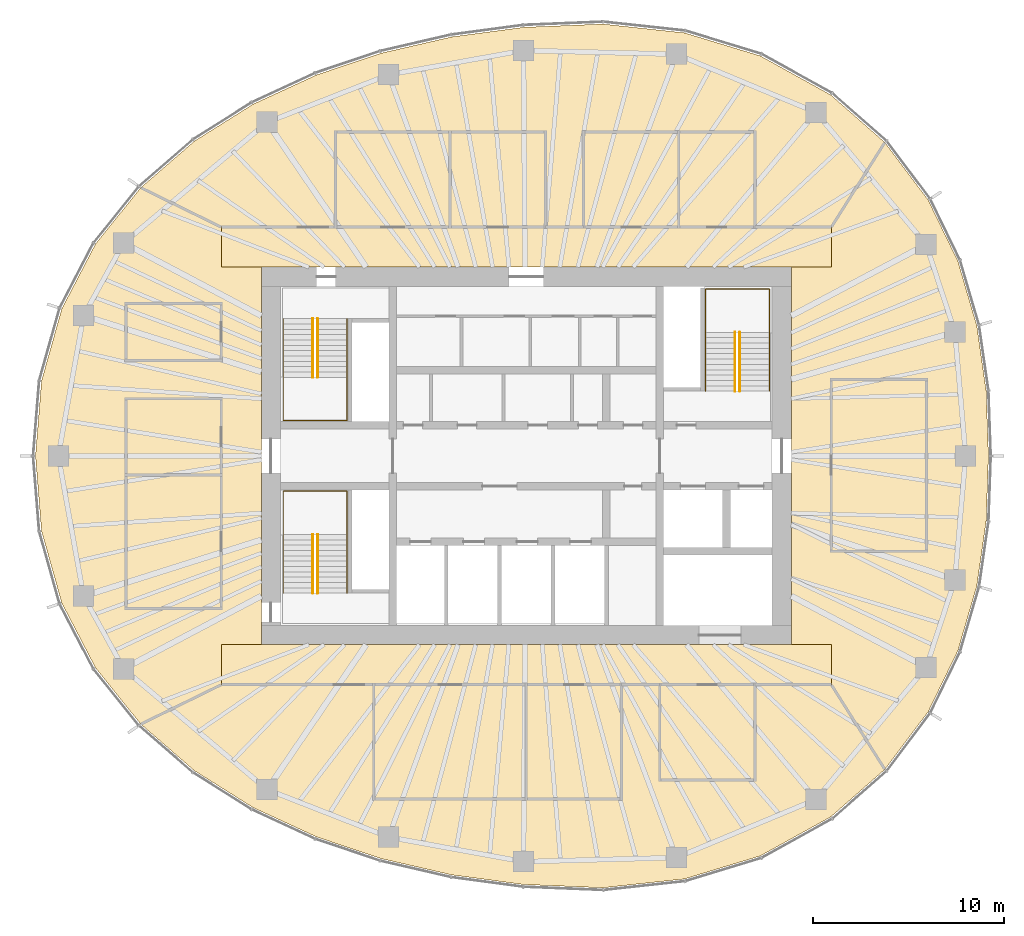
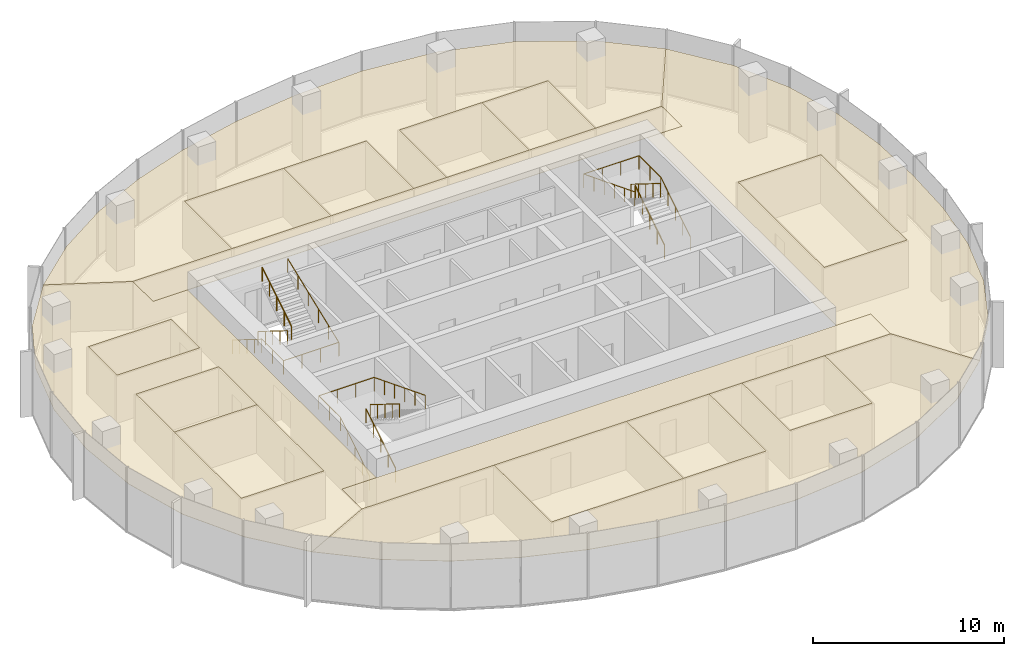
# One storey, part 11 of 11: 17 coverings, 9 railings.
"""IFC4 building model written with IfcOpenShell, lengths in metres."""

from ifc_helpers import new_model, si_unit, direction, frame, origin, origin_2d, place, context, subcontext, project, spatial, polyline, circle, outline, extrude, material, layer, layer_set, type_object, element, save


model = new_model("IFC4")

# Units and contexts
model_context = context("Model", 3, precision=1e-05, world=origin(), true_north=direction((0.0, 1.0)))
body_context = subcontext(model_context, "Body", "Model", "MODEL_VIEW")
ifc_project = project(units=[si_unit("LENGTHUNIT", "METRE"), si_unit("AREAUNIT", "SQUARE_METRE"), si_unit("VOLUMEUNIT", "CUBIC_METRE"), si_unit("PLANEANGLEUNIT", "RADIAN"), si_unit("MASSUNIT", "GRAM", prefix="KILO")], contexts=[model_context])

# Site, building, storey
site_placement = place(None, origin())
site = spatial("IfcSite", under=ifc_project, at=site_placement, CompositionType="ELEMENT")
building_placement = place(site_placement, origin())
building = spatial("IfcBuilding", under=site, at=building_placement, Name="Ghaith Harvest Tower", CompositionType="ELEMENT")
storey_placement = place(building_placement, frame((0.0, 0.0, 279.60009765625)))
storey = spatial("IfcBuildingStorey", under=building, at=storey_placement, Name="L62", CompositionType="ELEMENT", Elevation=279.60009765625)

# Coverings
ifc_material_1 = material(Name="Mineral fibre ceiling tile", Category="gypsum")
ifc_layer = layer(ifc_material_1, 0.02490234375)
ifc_layer_set = layer_set([ifc_layer], Name="CEILING C2")
covering_type = type_object("IfcCoveringType", Name="CEILING C2", PredefinedType="CEILING", material=ifc_layer_set)
covering_1_placement = place(storey_placement, frame((0.0, 0.0, 3.0)))
element("IfcCovering", 1, at=covering_1_placement, inside=storey, type_object=covering_type, Name="Ceiling L62-01", PredefinedType="CEILING", context=body_context, shape_type="SweptSolid", body=[
    extrude(outline(polyline([(-8.0, -18.0), (0.0, -18.0), (0.0, -12.0), (-8.0, -12.0), (-8.0, -18.0)])), origin(), (0.0, 0.0, 1.0), 0.02490234375),
])
covering_2_placement = place(storey_placement, frame((0.0, 0.0, 3.0)))
element("IfcCovering", 2, at=covering_2_placement, inside=storey, type_object=covering_type, Name="Ceiling L62-02", PredefinedType="CEILING", context=body_context, shape_type="SweptSolid", body=[
    extrude(outline(polyline([(0.0, -18.0), (5.0, -18.0), (5.0, -12.0), (0.0, -12.0), (0.0, -18.0)])), origin(), (0.0, 0.0, 1.0), 0.02490234375),
])
covering_3_placement = place(storey_placement, frame((0.0, 0.0, 3.0)))
element("IfcCovering", 3, at=covering_3_placement, inside=storey, type_object=covering_type, Name="Ceiling L62-03", PredefinedType="CEILING", context=body_context, shape_type="SweptSolid", body=[
    extrude(outline(polyline([(7.0, -17.0), (12.0, -17.0), (12.0, -12.0), (7.0, -12.0), (7.0, -17.0)])), origin(), (0.0, 0.0, 1.0), 0.02490234375),
])
covering_4_placement = place(storey_placement, frame((0.0, 0.0, 3.0)))
element("IfcCovering", 4, at=covering_4_placement, inside=storey, type_object=covering_type, Name="Ceiling L62-04", PredefinedType="CEILING", context=body_context, shape_type="SweptSolid", body=[
    extrude(outline(polyline([(-21.0, -8.0), (-16.0, -8.0), (-16.0, -1.0), (-21.0, -1.0), (-21.0, -8.0)])), origin(), (0.0, 0.0, 1.0), 0.02490234375),
])
covering_5_placement = place(storey_placement, frame((0.0, 0.0, 3.0)))
element("IfcCovering", 5, at=covering_5_placement, inside=storey, type_object=covering_type, Name="Ceiling L62-05", PredefinedType="CEILING", context=body_context, shape_type="SweptSolid", body=[
    extrude(outline(polyline([(-21.0, -1.0), (-16.0, -1.0), (-16.0, 3.0), (-21.0, 3.0), (-21.0, -1.0)])), origin(), (0.0, 0.0, 1.0), 0.02490234375),
])
covering_6_placement = place(storey_placement, frame((0.0, 0.0, 3.0)))
element("IfcCovering", 6, at=covering_6_placement, inside=storey, type_object=covering_type, Name="Ceiling L62-06", PredefinedType="CEILING", context=body_context, shape_type="SweptSolid", body=[
    extrude(outline(polyline([(-10.0, 12.0), (-4.0, 12.0), (-4.0, 17.0), (-10.0, 17.0), (-10.0, 12.0)])), origin(), (0.0, 0.0, 1.0), 0.02490234375),
])
covering_7_placement = place(storey_placement, frame((0.0, 0.0, 3.0)))
element("IfcCovering", 7, at=covering_7_placement, inside=storey, type_object=covering_type, Name="Ceiling L62-07", PredefinedType="CEILING", context=body_context, shape_type="SweptSolid", body=[
    extrude(outline(polyline([(-4.0, 12.0), (1.0, 12.0), (1.0, 17.0), (-4.0, 17.0), (-4.0, 12.0)])), origin(), (0.0, 0.0, 1.0), 0.02490234375),
])
covering_8_placement = place(storey_placement, frame((0.0, 0.0, 3.0)))
element("IfcCovering", 8, at=covering_8_placement, inside=storey, type_object=covering_type, Name="Ceiling L62-08", PredefinedType="CEILING", context=body_context, shape_type="SweptSolid", body=[
    extrude(outline(polyline([(3.0, 12.0), (8.0, 12.0), (8.0, 17.0), (3.0, 17.0), (3.0, 12.0)])), origin(), (0.0, 0.0, 1.0), 0.02490234375),
])
covering_9_placement = place(storey_placement, frame((0.0, 0.0, 3.0)))
element("IfcCovering", 9, at=covering_9_placement, inside=storey, type_object=covering_type, Name="Ceiling L62-09", PredefinedType="CEILING", context=body_context, shape_type="SweptSolid", body=[
    extrude(outline(polyline([(8.0, 12.0), (12.0, 12.0), (12.0, 17.0), (8.0, 17.0), (8.0, 12.0)])), origin(), (0.0, 0.0, 1.0), 0.02490234375),
])
covering_10_placement = place(storey_placement, frame((0.0, 0.0, 3.0)))
element("IfcCovering", 10, at=covering_10_placement, inside=storey, type_object=covering_type, Name="Ceiling L62-10", PredefinedType="CEILING", context=body_context, shape_type="SweptSolid", body=[
    extrude(outline(polyline([(16.0, -5.0), (21.0, -5.0), (21.0, 4.0), (16.0, 4.0), (16.0, -5.0)])), origin(), (0.0, 0.0, 1.0), 0.02490234375),
])
covering_11_placement = place(storey_placement, frame((0.0, 0.0, 3.0)))
element("IfcCovering", 11, at=covering_11_placement, inside=storey, type_object=covering_type, Name="Ceiling L62-11", PredefinedType="CEILING", context=body_context, shape_type="SweptSolid", body=[
    extrude(outline(polyline([(-21.0, 5.0), (-16.0, 5.0), (-16.0, 8.0), (-21.0, 8.0), (-21.0, 5.0)])), origin(), (0.0, 0.0, 1.0), 0.02490234375),
])
covering_12_placement = place(storey_placement, frame((0.0, 0.0, 3.0)))
element("IfcCovering", 12, at=covering_12_placement, inside=storey, type_object=covering_type, Name="Ceiling L62-C1", PredefinedType="CEILING", context=body_context, shape_type="SweptSolid", body=[
    extrude(outline(polyline([(16.0, 9.89990234375), (-16.0, 9.89990234375), (-16.0, 12.0), (16.0, 12.0), (16.0, 9.89990234375)])), origin(), (0.0, 0.0, 1.0), 0.02490234375),
])
covering_13_placement = place(storey_placement, frame((0.0, 0.0, 3.0)))
element("IfcCovering", 13, at=covering_13_placement, inside=storey, type_object=covering_type, Name="Ceiling L62-C2", PredefinedType="CEILING", context=body_context, shape_type="SweptSolid", body=[
    extrude(outline(polyline([(-16.0, -9.89990234375), (16.0, -9.89990234375), (16.0, -12.0), (-16.0, -12.0), (-16.0, -9.89990234375)])), origin(), (0.0, 0.0, 1.0), 0.02490234375),
])
covering_14_placement = place(storey_placement, frame((0.0, 0.0, 3.0)))
element("IfcCovering", 14, at=covering_14_placement, inside=storey, type_object=covering_type, Name="Ceiling L62-N1", PredefinedType="CEILING", context=body_context, shape_type="SweptSolid", body=[
    extrude(outline(polyline([(-17.40771484375, 16.518310546875), (-14.331298828125, 18.452880859375), (-11.009521484375, 19.98779296875), (-7.6298828125, 21.12548828125), (-3.92529296875, 21.98046875), (-0.15380859375, 22.486083984375), (4.016845703125, 22.658447265625), (8.2978515625, 22.1962890625), (12.273681640625, 20.98828125), (15.971923828125, 18.940185546875), (18.810791015625, 16.4482421875), (16.0, 12.0), (12.0, 12.0), (12.0, 17.0), (3.0, 17.0), (3.0, 12.0), (1.0, 12.0), (1.0, 17.0), (-10.0, 17.0), (-10.0, 12.0), (-16.0, 12.0), (-20.225830078125, 14.0732421875), (-17.40771484375, 16.518310546875)])), origin(), (0.0, 0.0, 1.0), 0.02490234375),
])
covering_15_placement = place(storey_placement, frame((0.0, 0.0, 3.0)))
element("IfcCovering", 15, at=covering_15_placement, inside=storey, type_object=covering_type, Name="Ceiling L62-E1", PredefinedType="CEILING", context=body_context, shape_type="SweptSolid", body=[
    extrude(outline(polyline([(21.087890625, 13.42041015625), (22.644775390625, 10.222900390625), (23.6376953125, 6.831787109375), (24.129150390625, 3.4169921875), (24.25, 0.0), (24.129150390625, -3.4169921875), (23.6376953125, -6.831787109375), (22.644775390625, -10.222900390625), (21.087890625, -13.42041015625), (18.810791015625, -16.4482421875), (16.0, -12.0), (16.0, -9.89990234375), (13.89990234375, -9.89990234375), (13.89990234375, 9.89990234375), (16.0, 9.89990234375), (16.0, 12.0), (18.810791015625, 16.4482421875), (21.087890625, 13.42041015625)]), holes=[polyline([(16.0, -5.0), (21.0, -5.0), (21.0, 4.0), (16.0, 4.0), (16.0, -5.0)])]), origin(), (0.0, 0.0, 1.0), 0.02490234375),
])
covering_16_placement = place(storey_placement, frame((0.0, 0.0, 3.0)))
element("IfcCovering", 16, at=covering_16_placement, inside=storey, type_object=covering_type, Name="Ceiling L62-S1", PredefinedType="CEILING", context=body_context, shape_type="SweptSolid", body=[
    extrude(outline(polyline([(-14.331298828125, -18.452880859375), (-17.40771484375, -16.518310546875), (-20.225830078125, -14.0732421875), (-16.0, -12.0), (-8.0, -12.0), (-8.0, -18.0), (5.0, -18.0), (5.0, -12.0), (7.0, -12.0), (7.0, -17.0), (12.0, -17.0), (12.0, -12.0), (16.0, -12.0), (18.810791015625, -16.4482421875), (15.971923828125, -18.940185546875), (12.273681640625, -20.98828125), (8.2978515625, -22.1962890625), (4.016845703125, -22.658447265625), (-0.15380859375, -22.486083984375), (-3.92529296875, -21.98046875), (-7.6298828125, -21.12548828125), (-11.009521484375, -19.98779296875), (-14.331298828125, -18.452880859375)])), origin(), (0.0, 0.0, 1.0), 0.02490234375),
])
covering_17_placement = place(storey_placement, frame((0.0, 0.0, 3.0)))
element("IfcCovering", 17, at=covering_17_placement, inside=storey, type_object=covering_type, Name="Ceiling L62-W1", PredefinedType="CEILING", context=body_context, shape_type="SweptSolid", body=[
    extrude(outline(polyline([(-22.5986328125, -11.12353515625), (-24.368408203125, -7.722900390625), (-25.43310546875, -3.93359375), (-25.75, 0.0), (-25.43310546875, 3.93359375), (-24.368408203125, 7.722900390625), (-22.5986328125, 11.12353515625), (-20.225830078125, 14.0732421875), (-16.0, 12.0), (-16.0, 9.89990234375), (-13.89990234375, 9.89990234375), (-13.89990234375, -9.89990234375), (-16.0, -9.89990234375), (-16.0, -12.0), (-20.225830078125, -14.0732421875), (-22.5986328125, -11.12353515625)]), holes=[polyline([(-21.0, 3.0), (-21.0, -8.0), (-16.0, -8.0), (-16.0, 3.0), (-21.0, 3.0)]), polyline([(-21.0, 8.0), (-21.0, 5.0), (-16.0, 5.0), (-16.0, 8.0), (-21.0, 8.0)])]), origin(), (0.0, 0.0, 1.0), 0.02490234375),
])

# Railings
ifc_material_2 = material(Name="Steel, black powder-coated", Category="steel")
railing_type = type_object("IfcRailingType", Name="HANDRAIL HR1", PredefinedType="HANDRAIL", material=ifc_material_2)
railing_1_placement = place(storey_placement, frame((-11.199951171875, 7.199951171875, 0.1748046875)))
element("IfcRailing", 18, at=railing_1_placement, inside=storey, type_object=railing_type, Name="Handrail HR1 stair ST1 L62 flight 1 inner", PredefinedType="HANDRAIL", context=body_context, shape_type="SweptSolid", body=[
    extrude(circle(Radius=0.02392578125, at=origin_2d()), frame((0.0, 0.0, 0.8759765625), z_axis=(0.0, -0.847979421464, 0.530029150871), x_axis=(1.0, 0.0, 0.0)), (0.0, 0.0, 1.0), 3.632080078125),
    extrude(circle(Radius=0.02099609375, at=origin_2d()), origin(), (0.0, 0.0, 1.0), 0.851806640625),
    extrude(circle(Radius=0.02099609375, at=origin_2d()), frame((0.0, -0.77001953125, 0.481201171875)), (0.0, 0.0, 1.0), 0.851806640625),
    extrude(circle(Radius=0.02099609375, at=origin_2d()), frame((0.0, -1.5400390625, 0.96240234375)), (0.0, 0.0, 1.0), 0.851806640625),
    extrude(circle(Radius=0.02099609375, at=origin_2d()), frame((0.0, -2.309814453125, 1.44384765625)), (0.0, 0.0, 1.0), 0.851806640625),
    extrude(circle(Radius=0.02099609375, at=origin_2d()), frame((0.0, -3.079833984375, 1.925048828125)), (0.0, 0.0, 1.0), 0.851806640625),
])
railing_2_placement = place(storey_placement, frame((-10.949951171875, 4.1201171875, 2.27490234375)))
element("IfcRailing", 19, at=railing_2_placement, inside=storey, type_object=railing_type, Name="Handrail HR1 stair ST1 L62 flight 2 inner", PredefinedType="HANDRAIL", context=body_context, shape_type="SweptSolid", body=[
    extrude(circle(Radius=0.02392578125, at=origin_2d()), frame((0.0, 0.0, 0.8759765625), z_axis=(0.0, 0.847979421464, 0.530029150871), x_axis=(-1.0, 0.0, 0.0)), (0.0, 0.0, 1.0), 3.632080078125),
    extrude(circle(Radius=0.02099609375, at=origin_2d()), origin(), (0.0, 0.0, 1.0), 0.851806640625),
    extrude(circle(Radius=0.02099609375, at=origin_2d()), frame((0.0, 0.77001953125, 0.481201171875)), (0.0, 0.0, 1.0), 0.851806640625),
    extrude(circle(Radius=0.02099609375, at=origin_2d()), frame((0.0, 1.5400390625, 0.96240234375)), (0.0, 0.0, 1.0), 0.851806640625),
    extrude(circle(Radius=0.02099609375, at=origin_2d()), frame((0.0, 2.309814453125, 1.44384765625)), (0.0, 0.0, 1.0), 0.851806640625),
    extrude(circle(Radius=0.02099609375, at=origin_2d()), frame((0.0, 3.079833984375, 1.925048828125)), (0.0, 0.0, 1.0), 0.851806640625),
])
railing_3_placement = place(storey_placement, frame((-12.75, 7.199951171875, 0.1748046875)))
element("IfcRailing", 20, at=railing_3_placement, inside=storey, type_object=railing_type, Name="Handrail HR1 stair ST1 L62 wall side", PredefinedType="HANDRAIL", context=body_context, shape_type="SweptSolid", body=[
    extrude(circle(Radius=0.02392578125, at=origin_2d()), frame((0.0, 0.0, 0.8759765625), z_axis=(0.0, -0.847979421464, 0.530029150871), x_axis=(1.0, 0.0, 0.0)), (0.0, 0.0, 1.0), 3.632080078125),
    extrude(circle(Radius=0.02392578125, at=origin_2d()), frame((0.0, -3.079833984375, 2.80078125), z_axis=(0.0, -1.0, 0.0), x_axis=(1.0, 0.0, 0.0)), (0.0, 0.0, 1.0), 2.27001953125),
    extrude(circle(Radius=0.02392578125, at=origin_2d()), frame((0.0, -5.349853515625, 2.80078125), z_axis=(1.0, 0.0, 0.0), x_axis=(0.0, 1.0, 0.0)), (0.0, 0.0, 1.0), 3.35009765625),
    extrude(circle(Radius=0.02392578125, at=origin_2d()), frame((3.35009765625, -5.349853515625, 2.80078125), z_axis=(0.0, 0.930848013298, 0.36540659017), x_axis=(-1.0, 0.0, 0.0)), (0.0, 0.0, 1.0), 5.747314453125),
    extrude(circle(Radius=0.02099609375, at=origin_2d()), origin(), (0.0, 0.0, 1.0), 0.851806640625),
    extrude(circle(Radius=0.02099609375, at=origin_2d()), frame((0.0, -0.77001953125, 0.481201171875)), (0.0, 0.0, 1.0), 0.851806640625),
    extrude(circle(Radius=0.02099609375, at=origin_2d()), frame((0.0, -1.5400390625, 0.96240234375)), (0.0, 0.0, 1.0), 0.851806640625),
    extrude(circle(Radius=0.02099609375, at=origin_2d()), frame((0.0, -2.309814453125, 1.44384765625)), (0.0, 0.0, 1.0), 0.851806640625),
    extrude(circle(Radius=0.02099609375, at=origin_2d()), frame((0.0, -3.079833984375, 1.925048828125)), (0.0, 0.0, 1.0), 0.851806640625),
    extrude(circle(Radius=0.02099609375, at=origin_2d()), frame((0.0, -4.21484375, 1.925048828125)), (0.0, 0.0, 1.0), 0.851806640625),
    extrude(circle(Radius=0.02099609375, at=origin_2d()), frame((0.0, -5.349853515625, 1.925048828125)), (0.0, 0.0, 1.0), 0.851806640625),
    extrude(circle(Radius=0.02099609375, at=origin_2d()), frame((1.11669921875, -5.349853515625, 1.925048828125)), (0.0, 0.0, 1.0), 0.851806640625),
    extrude(circle(Radius=0.02099609375, at=origin_2d()), frame((2.2333984375, -5.349853515625, 1.925048828125)), (0.0, 0.0, 1.0), 0.851806640625),
    extrude(circle(Radius=0.02099609375, at=origin_2d()), frame((3.35009765625, -5.349853515625, 1.925048828125)), (0.0, 0.0, 1.0), 0.851806640625),
    extrude(circle(Radius=0.02099609375, at=origin_2d()), frame((3.35009765625, -4.27978515625, 2.344970703125)), (0.0, 0.0, 1.0), 0.851806640625),
    extrude(circle(Radius=0.02099609375, at=origin_2d()), frame((3.35009765625, -3.2099609375, 2.76513671875)), (0.0, 0.0, 1.0), 0.851806640625),
    extrude(circle(Radius=0.02099609375, at=origin_2d()), frame((3.35009765625, -2.139892578125, 3.18505859375)), (0.0, 0.0, 1.0), 0.851806640625),
    extrude(circle(Radius=0.02099609375, at=origin_2d()), frame((3.35009765625, -1.070068359375, 3.605224609375)), (0.0, 0.0, 1.0), 0.851806640625),
    extrude(circle(Radius=0.02099609375, at=origin_2d()), frame((3.35009765625, 0.0, 4.025146484375)), (0.0, 0.0, 1.0), 0.851806640625),
])
railing_4_placement = place(storey_placement, frame((-11.199951171875, -7.199951171875, 0.1748046875)))
element("IfcRailing", 21, at=railing_4_placement, inside=storey, type_object=railing_type, Name="Handrail HR1 stair ST3 L62 flight 1 inner", PredefinedType="HANDRAIL", context=body_context, shape_type="SweptSolid", body=[
    extrude(circle(Radius=0.02392578125, at=origin_2d()), frame((0.0, 0.0, 0.8759765625), z_axis=(0.0, 0.847979421464, 0.530029150871), x_axis=(-1.0, 0.0, 0.0)), (0.0, 0.0, 1.0), 3.632080078125),
    extrude(circle(Radius=0.02099609375, at=origin_2d()), origin(), (0.0, 0.0, 1.0), 0.851806640625),
    extrude(circle(Radius=0.02099609375, at=origin_2d()), frame((0.0, 0.77001953125, 0.481201171875)), (0.0, 0.0, 1.0), 0.851806640625),
    extrude(circle(Radius=0.02099609375, at=origin_2d()), frame((0.0, 1.5400390625, 0.96240234375)), (0.0, 0.0, 1.0), 0.851806640625),
    extrude(circle(Radius=0.02099609375, at=origin_2d()), frame((0.0, 2.309814453125, 1.44384765625)), (0.0, 0.0, 1.0), 0.851806640625),
    extrude(circle(Radius=0.02099609375, at=origin_2d()), frame((0.0, 3.079833984375, 1.925048828125)), (0.0, 0.0, 1.0), 0.851806640625),
])
railing_5_placement = place(storey_placement, frame((-10.949951171875, -4.1201171875, 2.27490234375)))
element("IfcRailing", 22, at=railing_5_placement, inside=storey, type_object=railing_type, Name="Handrail HR1 stair ST3 L62 flight 2 inner", PredefinedType="HANDRAIL", context=body_context, shape_type="SweptSolid", body=[
    extrude(circle(Radius=0.02392578125, at=origin_2d()), frame((0.0, 0.0, 0.8759765625), z_axis=(0.0, -0.847979421464, 0.530029150871), x_axis=(1.0, 0.0, 0.0)), (0.0, 0.0, 1.0), 3.632080078125),
    extrude(circle(Radius=0.02099609375, at=origin_2d()), origin(), (0.0, 0.0, 1.0), 0.851806640625),
    extrude(circle(Radius=0.02099609375, at=origin_2d()), frame((0.0, -0.77001953125, 0.481201171875)), (0.0, 0.0, 1.0), 0.851806640625),
    extrude(circle(Radius=0.02099609375, at=origin_2d()), frame((0.0, -1.5400390625, 0.96240234375)), (0.0, 0.0, 1.0), 0.851806640625),
    extrude(circle(Radius=0.02099609375, at=origin_2d()), frame((0.0, -2.309814453125, 1.44384765625)), (0.0, 0.0, 1.0), 0.851806640625),
    extrude(circle(Radius=0.02099609375, at=origin_2d()), frame((0.0, -3.079833984375, 1.925048828125)), (0.0, 0.0, 1.0), 0.851806640625),
])
railing_6_placement = place(storey_placement, frame((-12.75, -7.199951171875, 0.1748046875)))
element("IfcRailing", 23, at=railing_6_placement, inside=storey, type_object=railing_type, Name="Handrail HR1 stair ST3 L62 wall side", PredefinedType="HANDRAIL", context=body_context, shape_type="SweptSolid", body=[
    extrude(circle(Radius=0.02392578125, at=origin_2d()), frame((0.0, 0.0, 0.8759765625), z_axis=(0.0, 0.847979421464, 0.530029150871), x_axis=(-1.0, 0.0, 0.0)), (0.0, 0.0, 1.0), 3.632080078125),
    extrude(circle(Radius=0.02392578125, at=origin_2d()), frame((0.0, 3.079833984375, 2.80078125), z_axis=(0.0, 1.0, 0.0), x_axis=(-1.0, 0.0, 0.0)), (0.0, 0.0, 1.0), 2.27001953125),
    extrude(circle(Radius=0.02392578125, at=origin_2d()), frame((0.0, 5.349853515625, 2.80078125), z_axis=(1.0, 0.0, 0.0), x_axis=(0.0, 1.0, 0.0)), (0.0, 0.0, 1.0), 3.35009765625),
    extrude(circle(Radius=0.02392578125, at=origin_2d()), frame((3.35009765625, 5.349853515625, 2.80078125), z_axis=(0.0, -0.930848013298, 0.36540659017), x_axis=(1.0, 0.0, 0.0)), (0.0, 0.0, 1.0), 5.747314453125),
    extrude(circle(Radius=0.02099609375, at=origin_2d()), origin(), (0.0, 0.0, 1.0), 0.851806640625),
    extrude(circle(Radius=0.02099609375, at=origin_2d()), frame((0.0, 0.77001953125, 0.481201171875)), (0.0, 0.0, 1.0), 0.851806640625),
    extrude(circle(Radius=0.02099609375, at=origin_2d()), frame((0.0, 1.5400390625, 0.96240234375)), (0.0, 0.0, 1.0), 0.851806640625),
    extrude(circle(Radius=0.02099609375, at=origin_2d()), frame((0.0, 2.309814453125, 1.44384765625)), (0.0, 0.0, 1.0), 0.851806640625),
    extrude(circle(Radius=0.02099609375, at=origin_2d()), frame((0.0, 3.079833984375, 1.925048828125)), (0.0, 0.0, 1.0), 0.851806640625),
    extrude(circle(Radius=0.02099609375, at=origin_2d()), frame((0.0, 4.21484375, 1.925048828125)), (0.0, 0.0, 1.0), 0.851806640625),
    extrude(circle(Radius=0.02099609375, at=origin_2d()), frame((0.0, 5.349853515625, 1.925048828125)), (0.0, 0.0, 1.0), 0.851806640625),
    extrude(circle(Radius=0.02099609375, at=origin_2d()), frame((1.11669921875, 5.349853515625, 1.925048828125)), (0.0, 0.0, 1.0), 0.851806640625),
    extrude(circle(Radius=0.02099609375, at=origin_2d()), frame((2.2333984375, 5.349853515625, 1.925048828125)), (0.0, 0.0, 1.0), 0.851806640625),
    extrude(circle(Radius=0.02099609375, at=origin_2d()), frame((3.35009765625, 5.349853515625, 1.925048828125)), (0.0, 0.0, 1.0), 0.851806640625),
    extrude(circle(Radius=0.02099609375, at=origin_2d()), frame((3.35009765625, 4.27978515625, 2.344970703125)), (0.0, 0.0, 1.0), 0.851806640625),
    extrude(circle(Radius=0.02099609375, at=origin_2d()), frame((3.35009765625, 3.2099609375, 2.76513671875)), (0.0, 0.0, 1.0), 0.851806640625),
    extrude(circle(Radius=0.02099609375, at=origin_2d()), frame((3.35009765625, 2.139892578125, 3.18505859375)), (0.0, 0.0, 1.0), 0.851806640625),
    extrude(circle(Radius=0.02099609375, at=origin_2d()), frame((3.35009765625, 1.070068359375, 3.605224609375)), (0.0, 0.0, 1.0), 0.851806640625),
    extrude(circle(Radius=0.02099609375, at=origin_2d()), frame((3.35009765625, 0.0, 4.025146484375)), (0.0, 0.0, 1.0), 0.851806640625),
])
railing_7_placement = place(storey_placement, frame((11.199951171875, 3.39990234375, 0.1748046875)))
element("IfcRailing", 24, at=railing_7_placement, inside=storey, type_object=railing_type, Name="Handrail HR1 stair ST2 L62 flight 1 inner", PredefinedType="HANDRAIL", context=body_context, shape_type="SweptSolid", body=[
    extrude(circle(Radius=0.02392578125, at=origin_2d()), frame((0.0, 0.0, 0.8759765625), z_axis=(0.0, 0.847998304005, 0.529998940003), x_axis=(-1.0, 0.0, 0.0)), (0.0, 0.0, 1.0), 3.632080078125),
    extrude(circle(Radius=0.02099609375, at=origin_2d()), origin(), (0.0, 0.0, 1.0), 0.851806640625),
    extrude(circle(Radius=0.02099609375, at=origin_2d()), frame((0.0, 0.77001953125, 0.481201171875)), (0.0, 0.0, 1.0), 0.851806640625),
    extrude(circle(Radius=0.02099609375, at=origin_2d()), frame((0.0, 1.5400390625, 0.96240234375)), (0.0, 0.0, 1.0), 0.851806640625),
    extrude(circle(Radius=0.02099609375, at=origin_2d()), frame((0.0, 2.31005859375, 1.44384765625)), (0.0, 0.0, 1.0), 0.851806640625),
    extrude(circle(Radius=0.02099609375, at=origin_2d()), frame((0.0, 3.080078125, 1.925048828125)), (0.0, 0.0, 1.0), 0.851806640625),
])
railing_8_placement = place(storey_placement, frame((10.949951171875, 6.47998046875, 2.27490234375)))
element("IfcRailing", 25, at=railing_8_placement, inside=storey, type_object=railing_type, Name="Handrail HR1 stair ST2 L62 flight 2 inner", PredefinedType="HANDRAIL", context=body_context, shape_type="SweptSolid", body=[
    extrude(circle(Radius=0.02392578125, at=origin_2d()), frame((0.0, 0.0, 0.8759765625), z_axis=(0.0, -0.847998304005, 0.529998940003), x_axis=(1.0, 0.0, 0.0)), (0.0, 0.0, 1.0), 3.632080078125),
    extrude(circle(Radius=0.02099609375, at=origin_2d()), origin(), (0.0, 0.0, 1.0), 0.851806640625),
    extrude(circle(Radius=0.02099609375, at=origin_2d()), frame((0.0, -0.77001953125, 0.481201171875)), (0.0, 0.0, 1.0), 0.851806640625),
    extrude(circle(Radius=0.02099609375, at=origin_2d()), frame((0.0, -1.5400390625, 0.96240234375)), (0.0, 0.0, 1.0), 0.851806640625),
    extrude(circle(Radius=0.02099609375, at=origin_2d()), frame((0.0, -2.31005859375, 1.44384765625)), (0.0, 0.0, 1.0), 0.851806640625),
    extrude(circle(Radius=0.02099609375, at=origin_2d()), frame((0.0, -3.080078125, 1.925048828125)), (0.0, 0.0, 1.0), 0.851806640625),
])
railing_9_placement = place(storey_placement, frame((12.75, 3.39990234375, 0.1748046875)))
element("IfcRailing", 26, at=railing_9_placement, inside=storey, type_object=railing_type, Name="Handrail HR1 stair ST2 L62 wall side", PredefinedType="HANDRAIL", context=body_context, shape_type="SweptSolid", body=[
    extrude(circle(Radius=0.02392578125, at=origin_2d()), frame((0.0, 0.0, 0.8759765625), z_axis=(0.0, 0.847998304005, 0.529998940003), x_axis=(-1.0, 0.0, 0.0)), (0.0, 0.0, 1.0), 3.632080078125),
    extrude(circle(Radius=0.02392578125, at=origin_2d()), frame((0.0, 3.080078125, 2.80078125), z_axis=(0.0, 1.0, 0.0), x_axis=(-1.0, 0.0, 0.0)), (0.0, 0.0, 1.0), 2.27001953125),
    extrude(circle(Radius=0.02392578125, at=origin_2d()), frame((0.0, 5.35009765625, 2.80078125), z_axis=(-1.0, 0.0, 0.0), x_axis=(0.0, -1.0, 0.0)), (0.0, 0.0, 1.0), 3.35009765625),
    extrude(circle(Radius=0.02392578125, at=origin_2d()), frame((-3.35009765625, 5.35009765625, 2.80078125), z_axis=(0.0, -0.930853684876, 0.365392141887), x_axis=(1.0, 0.0, 0.0)), (0.0, 0.0, 1.0), 5.74755859375),
    extrude(circle(Radius=0.02099609375, at=origin_2d()), origin(), (0.0, 0.0, 1.0), 0.851806640625),
    extrude(circle(Radius=0.02099609375, at=origin_2d()), frame((0.0, 0.77001953125, 0.481201171875)), (0.0, 0.0, 1.0), 0.851806640625),
    extrude(circle(Radius=0.02099609375, at=origin_2d()), frame((0.0, 1.5400390625, 0.96240234375)), (0.0, 0.0, 1.0), 0.851806640625),
    extrude(circle(Radius=0.02099609375, at=origin_2d()), frame((0.0, 2.31005859375, 1.44384765625)), (0.0, 0.0, 1.0), 0.851806640625),
    extrude(circle(Radius=0.02099609375, at=origin_2d()), frame((0.0, 3.080078125, 1.925048828125)), (0.0, 0.0, 1.0), 0.851806640625),
    extrude(circle(Radius=0.02099609375, at=origin_2d()), frame((0.0, 4.215087890625, 1.925048828125)), (0.0, 0.0, 1.0), 0.851806640625),
    extrude(circle(Radius=0.02099609375, at=origin_2d()), frame((0.0, 5.35009765625, 1.925048828125)), (0.0, 0.0, 1.0), 0.851806640625),
    extrude(circle(Radius=0.02099609375, at=origin_2d()), frame((-1.11669921875, 5.35009765625, 1.925048828125)), (0.0, 0.0, 1.0), 0.851806640625),
    extrude(circle(Radius=0.02099609375, at=origin_2d()), frame((-2.2333984375, 5.35009765625, 1.925048828125)), (0.0, 0.0, 1.0), 0.851806640625),
    extrude(circle(Radius=0.02099609375, at=origin_2d()), frame((-3.35009765625, 5.35009765625, 1.925048828125)), (0.0, 0.0, 1.0), 0.851806640625),
    extrude(circle(Radius=0.02099609375, at=origin_2d()), frame((-3.35009765625, 4.280029296875, 2.344970703125)), (0.0, 0.0, 1.0), 0.851806640625),
    extrude(circle(Radius=0.02099609375, at=origin_2d()), frame((-3.35009765625, 3.2099609375, 2.76513671875)), (0.0, 0.0, 1.0), 0.851806640625),
    extrude(circle(Radius=0.02099609375, at=origin_2d()), frame((-3.35009765625, 2.14013671875, 3.18505859375)), (0.0, 0.0, 1.0), 0.851806640625),
    extrude(circle(Radius=0.02099609375, at=origin_2d()), frame((-3.35009765625, 1.070068359375, 3.605224609375)), (0.0, 0.0, 1.0), 0.851806640625),
    extrude(circle(Radius=0.02099609375, at=origin_2d()), frame((-3.35009765625, 0.0, 4.025146484375)), (0.0, 0.0, 1.0), 0.851806640625),
])

save(model, "model.ifc")
